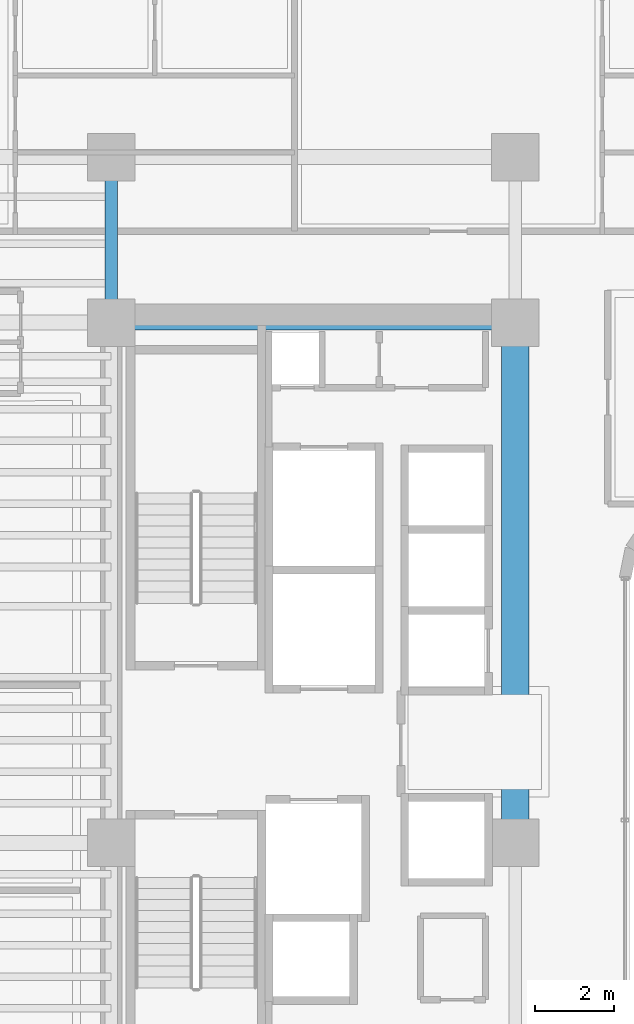
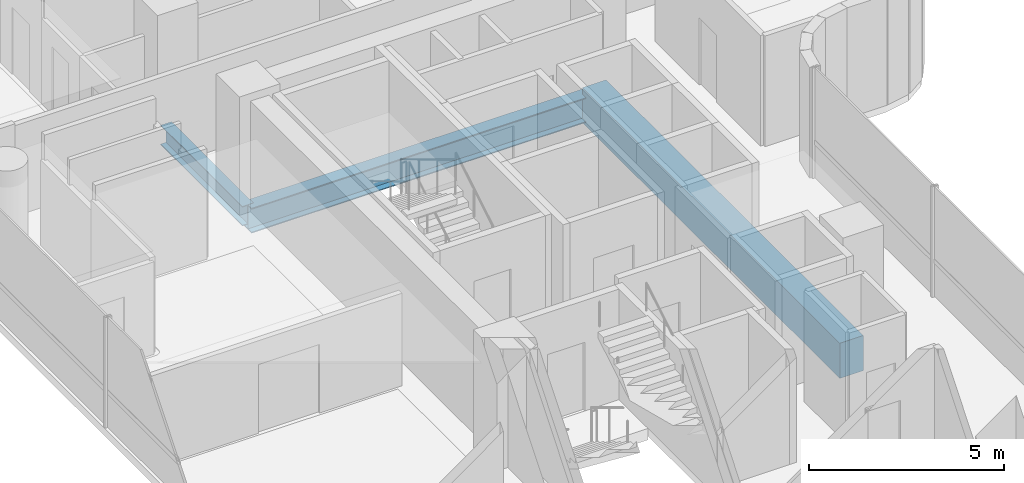
# One storey, part 11 of 34: 3 beams.
"""IFC4 building model written with IfcOpenShell, lengths in metres."""

import ifcopenshell
import ifcopenshell.guid

model = None  # the IFC model being written
_history = None  # IfcOwnerHistory: only IFC2X3 demands one
_inside = {}  # id of a spatial element -> (the spatial element, [elements in it])
_under = {}  # id of a project, library or spatial element -> (it, [spatial elements below it])
_declared = {}  # id of a project -> (the project, [libraries it declares])
_typed = {}  # id of a type object -> (the type object, [elements of that type])
_made_of = {}  # id of a material, layer set ... -> (it, [elements and type objects made of it])


def new_model(schema):
    """Start an empty IFC model of exactly this schema.

    Asked for "IFC4X3", IfcOpenShell would pick the latest addendum, in which some entities
    have other attributes; the version numbers below select the first issue.
    IFC2X3 requires an IfcOwnerHistory on every rooted entity: one is made here for all.
    """
    global model, _history
    if schema == "IFC4X3":
        model = ifcopenshell.file(schema_version=(4, 3, 0, 0))
    else:
        model = ifcopenshell.file(schema=schema)
    _inside.clear()
    _under.clear()
    _declared.clear()
    _typed.clear()
    _made_of.clear()
    _history = None
    if model.schema == "IFC2X3":
        org = make("IfcOrganization", Name="unknown")
        user = make(
            "IfcPersonAndOrganization",
            ThePerson=make("IfcPerson", FamilyName="unknown"),
            TheOrganization=org,
        )
        app = make(
            "IfcApplication",
            ApplicationDeveloper=org,
            Version="unknown",
            ApplicationFullName="unknown",
            ApplicationIdentifier="unknown",
        )
        _history = make(
            "IfcOwnerHistory",
            OwningUser=user,
            OwningApplication=app,
            ChangeAction="ADDED",
            CreationDate=0,
        )
    return model


def make(cls, **values):
    """One entity of the class cls with the attributes given. An attribute that is None is left unset."""
    return model.create_entity(
        cls, **{name: value for name, value in values.items() if value is not None}
    )


def rooted(cls, **values):
    """An entity with a GlobalId (a new one), such as an element, a storey or a relation."""
    return make(cls, GlobalId=ifcopenshell.guid.new(), OwnerHistory=_history, **values)


def si_unit(unit_type, name, prefix=None):
    """IfcSIUnit, for example si_unit("LENGTHUNIT", "METRE", prefix="MILLI")."""
    return make("IfcSIUnit", UnitType=unit_type, Prefix=prefix, Name=name)


def assignment(units):
    """IfcUnitAssignment: the units of a project."""
    return None if units is None else make("IfcUnitAssignment", Units=units)


def point(xyz):
    """IfcCartesianPoint."""
    return None if xyz is None else make("IfcCartesianPoint", Coordinates=xyz)


def direction(xyz):
    """IfcDirection."""
    return None if xyz is None else make("IfcDirection", DirectionRatios=xyz)


def frame(location, z_axis=None, x_axis=None):
    """IfcAxis2Placement3D, a coordinate frame: its origin and axes. An axis left out is left unset."""
    return make(
        "IfcAxis2Placement3D",
        Location=point(location),
        Axis=direction(z_axis),
        RefDirection=direction(x_axis),
    )


def frame_2d(location, x_axis=None):
    """IfcAxis2Placement2D, a coordinate frame in the plane: its origin and x axis."""
    return make(
        "IfcAxis2Placement2D", Location=point(location), RefDirection=direction(x_axis)
    )


def origin():
    """The frame at (0, 0, 0) with its axes left unset."""
    return frame((0.0, 0.0, 0.0))


def origin_2d():
    """The frame at (0, 0) in the plane with its x axis left unset."""
    return frame_2d((0.0, 0.0))


def place(relative_to, where):
    """IfcLocalPlacement: puts the frame where relative to a parent placement (None: the world)."""
    return make(
        "IfcLocalPlacement", PlacementRelTo=relative_to, RelativePlacement=where
    )


def context(
    kind, dimensions, precision=None, world=None, true_north=None, identifier=None
):
    """IfcGeometricRepresentationContext, for example the 3D "Model" context."""
    return make(
        "IfcGeometricRepresentationContext",
        ContextIdentifier=identifier,
        ContextType=kind,
        CoordinateSpaceDimension=dimensions,
        Precision=precision,
        WorldCoordinateSystem=world,
        TrueNorth=true_north,
    )


def subcontext(parent, identifier, kind, view, scale=None):
    """IfcGeometricRepresentationSubContext, for example "Body" below "Model"."""
    return make(
        "IfcGeometricRepresentationSubContext",
        ContextIdentifier=identifier,
        ContextType=kind,
        ParentContext=parent,
        TargetScale=scale,
        TargetView=view,
    )


def project(units=None, contexts=None):
    """IfcProject with its units and contexts."""
    return rooted(
        "IfcProject",
        Name="project",
        RepresentationContexts=contexts,
        UnitsInContext=assignment(units),
    )


def spatial(cls, under=None, at=None, **own):
    """A site, building, storey or space (cls), placed at a placement, below another one or the project."""
    s = rooted(cls, ObjectPlacement=at, **own)
    if under is not None:
        _under.setdefault(under.id(), (under, []))[1].append(s)
    return s


def profile(cls, at=None, kind="AREA", **sizes):
    """A parametric profile (cls). Its sizes go by their IFC names, for example OverallWidth=200.0."""
    return make(cls, ProfileType=kind, Position=at, **sizes)


def rectangle(**sizes):
    """IfcRectangleProfileDef."""
    return profile("IfcRectangleProfileDef", **sizes)


def i_section(**sizes):
    """IfcIShapeProfileDef."""
    return profile("IfcIShapeProfileDef", **sizes)


def extrude(swept, where, along, depth):
    """IfcExtrudedAreaSolid: the profile swept, set in the frame where, extruded along a direction by depth."""
    return make(
        "IfcExtrudedAreaSolid",
        SweptArea=swept,
        Position=where,
        ExtrudedDirection=direction(along),
        Depth=depth,
    )


def shape(context_of_items, identifier, shape_type, items):
    """IfcShapeRepresentation: the items that make up one representation, for example the "Body"."""
    return make(
        "IfcShapeRepresentation",
        ContextOfItems=context_of_items,
        RepresentationIdentifier=identifier,
        RepresentationType=shape_type,
        Items=items,
    )


def source(mapping_origin, context_of_items, identifier, shape_type, items):
    """IfcRepresentationMap: a shape defined once, which mapped items show again and again."""
    return make(
        "IfcRepresentationMap",
        MappingOrigin=mapping_origin,
        MappedRepresentation=shape(context_of_items, identifier, shape_type, items),
    )


def transform(
    local_origin,
    x_axis=None,
    y_axis=None,
    z_axis=None,
    scale=None,
    scale2=None,
    scale3=None,
    uniform=True,
):
    """IfcCartesianTransformationOperator3D, or its non-uniform kind. x_axis, y_axis, z_axis: its Axis1, 2, 3."""
    if uniform:
        return make(
            "IfcCartesianTransformationOperator3D",
            Axis1=direction(x_axis),
            Axis2=direction(y_axis),
            LocalOrigin=point(local_origin),
            Scale=scale,
            Axis3=direction(z_axis),
        )
    return make(
        "IfcCartesianTransformationOperator3DnonUniform",
        Axis1=direction(x_axis),
        Axis2=direction(y_axis),
        LocalOrigin=point(local_origin),
        Scale=scale,
        Axis3=direction(z_axis),
        Scale2=scale2,
        Scale3=scale3,
    )


def mapped(mapping_source, mapping_target):
    """IfcMappedItem: shows the shape of a source again, moved by a transform."""
    return make(
        "IfcMappedItem", MappingSource=mapping_source, MappingTarget=mapping_target
    )


def material(Name=None, Category=None):
    """IfcMaterial."""
    return make("IfcMaterial", Name=Name, Category=Category)


def material_profile(
    of_material, cross_section, Name=None, Category=None, Priority=None
):
    """IfcMaterialProfile: a cross section and its material."""
    return make(
        "IfcMaterialProfile",
        Name=Name,
        Material=of_material,
        Profile=cross_section,
        Priority=Priority,
        Category=Category,
    )


def profile_set(profiles, Name=None, composite=None):
    """IfcMaterialProfileSet."""
    return make(
        "IfcMaterialProfileSet",
        Name=Name,
        MaterialProfiles=profiles,
        CompositeProfile=composite,
    )


def made_of(thing, what):
    """Note that an element or type object is made of a material, layer set ...; save() writes the relation."""
    if what is not None:
        _made_of.setdefault(what.id(), (what, []))[1].append(thing)
    return thing


def type_object(cls, material=None, **own):
    """A type object (cls), such as IfcWallType, which elements share."""
    return made_of(rooted(cls, **own), material)


def element(
    cls,
    number,
    at=None,
    inside=None,
    cuts=None,
    type_object=None,
    material=None,
    context=None,
    identifier="Body",
    shape_type=None,
    held_by="IfcProductDefinitionShape",
    body=None,
    shapes=None,
    **own,
):
    """One element of the class cls, such as IfcWall. Its Tag is "e" and its number.

    at: its placement. inside: the storey or other place that contains it. cuts: it is an
    opening in that element (IfcRelVoidsElement). A single representation is given by context,
    identifier, shape_type and body (its items); several are given by shapes. held_by: the class
    of the entity that holds the representations. save() writes the other relations.
    """
    e = rooted(cls, Tag="e%d" % number, ObjectPlacement=at, **own)
    if body is not None:
        shapes = [shape(context, identifier, shape_type, body)]
    if shapes is not None:
        e.Representation = make(held_by, Representations=shapes)
    if inside is not None:
        _inside.setdefault(inside.id(), (inside, []))[1].append(e)
    if cuts is not None:
        rooted(
            "IfcRelVoidsElement", RelatingBuildingElement=cuts, RelatedOpeningElement=e
        )
    if type_object is not None:
        _typed.setdefault(type_object.id(), (type_object, []))[1].append(e)
    return made_of(e, material)


def aggregate(whole, parts):
    """IfcRelAggregates: a whole, such as a stair, and the parts it consists of."""
    return rooted("IfcRelAggregates", RelatingObject=whole, RelatedObjects=parts)


def save(model, path):
    """Write the relations noted so far, then the file.

    IfcRelAggregates (storeys below a building ...), IfcRelContainedInSpatialStructure (elements
    in a storey), IfcRelDefinesByType, IfcRelAssociatesMaterial and IfcRelDeclares: one each for
    every whole, place, type object, material and project.
    """
    for whole, parts in _under.values():
        aggregate(whole, parts)
    for where, things in _inside.values():
        rooted(
            "IfcRelContainedInSpatialStructure",
            RelatedElements=things,
            RelatingStructure=where,
        )
    for kind, things in _typed.values():
        rooted("IfcRelDefinesByType", RelatedObjects=things, RelatingType=kind)
    for what, things in _made_of.values():
        rooted("IfcRelAssociatesMaterial", RelatedObjects=things, RelatingMaterial=what)
    for by, libraries in _declared.values():
        rooted("IfcRelDeclares", RelatingContext=by, RelatedDefinitions=libraries)
    model.write(path)


model = new_model("IFC4")

# Units and contexts
model_context = context("Model", 3, precision=1e-05, world=origin(), true_north=direction((0.0, 1.0)))
body_context = subcontext(model_context, "Body", "Model", "MODEL_VIEW")
ifc_project = project(units=[si_unit("LENGTHUNIT", "METRE"), si_unit("AREAUNIT", "SQUARE_METRE"), si_unit("VOLUMEUNIT", "CUBIC_METRE"), si_unit("PLANEANGLEUNIT", "RADIAN"), si_unit("MASSUNIT", "GRAM", prefix="KILO")], contexts=[model_context])

# Site, building, storey
site_placement = place(None, origin())
site = spatial("IfcSite", under=ifc_project, at=site_placement, CompositionType="ELEMENT")
building_placement = place(site_placement, origin())
building = spatial("IfcBuilding", under=site, at=building_placement, Name="Valdorenza Pilgrim Sanctuary Tower", CompositionType="ELEMENT")
storey_placement = place(building_placement, frame((0.0, 0.0, 164.89990234375)))
storey = spatial("IfcBuildingStorey", under=building, at=storey_placement, Name="L42", CompositionType="ELEMENT", Elevation=164.89990234375)

# Beams
ifc_material_1 = material(Name="Concrete C50/60", Category="concrete")
ifc_material_profile_1 = material_profile(ifc_material_1, rectangle(XDim=0.699951171875, YDim=1.10009765625, at=origin_2d()), Name="RC 1100x700")
ifc_profile_set_1 = profile_set([ifc_material_profile_1], Name="Concrete C50/60")
beam_type_1 = type_object("IfcBeamType", Name="STR-BM-LNT-1100", PredefinedType="LINTEL", material=ifc_profile_set_1)
shared_shape_1 = source(origin(), body_context, "Body", "SweptSolid", [
    extrude(rectangle(XDim=0.699951171875, YDim=1.10009765625, at=origin_2d()), origin(), (0.0, 0.0, 1.0), 13.2001953125),
])
beam_1_placement = place(storey_placement, frame((-12.39990234375, -2.60009765625, -0.58984375), z_axis=(0.0, 1.0, 0.0), x_axis=(-1.0, 0.0, 0.0)))
element("IfcBeam", 1, at=beam_1_placement, inside=storey, type_object=beam_type_1, Name="L42 Core A Coupling Lintel Girder", PredefinedType="LINTEL", context=body_context, shape_type="MappedRepresentation", body=[
    mapped(shared_shape_1, transform((0.0, 0.0, 0.0), x_axis=(1.0, 0.0, 0.0), y_axis=(0.0, 1.0, 0.0), z_axis=(0.0, 0.0, 1.0), scale=1.0)),
])
ifc_material_2 = material(Name="Steel ASTM A992 Grade 50", Category="steel")
ifc_material_profile_2 = material_profile(ifc_material_2, i_section(OverallWidth=0.323974609375, OverallDepth=0.611083984375, WebThickness=0.0126953125, FlangeThickness=0.01904296875, at=origin_2d()), Name="W24X104")
ifc_profile_set_2 = profile_set([ifc_material_profile_2], Name="Steel ASTM A992 Grade 50")
beam_type_2 = type_object("IfcBeamType", Name="STR-BM-GRD-W24B", PredefinedType="BEAM", material=ifc_profile_set_2)
shared_shape_2 = source(origin(), body_context, "Body", "SweptSolid", [
    extrude(i_section(OverallWidth=0.323974609375, OverallDepth=0.611083984375, WebThickness=0.0126953125, FlangeThickness=0.01904296875, at=origin_2d()), origin(), (0.0, 0.0, 1.0), 4.199951171875),
])
beam_2_placement = place(storey_placement, frame((-22.64990234375, 10.60009765625, -0.54541015625), z_axis=(0.0, 1.0, 0.0), x_axis=(-1.0, 0.0, 0.0)))
element("IfcBeam", 2, at=beam_2_placement, inside=storey, type_object=beam_type_2, Name="L42 Core Tie Girder CA-W-N1N2", PredefinedType="BEAM", context=body_context, shape_type="MappedRepresentation", body=[
    mapped(shared_shape_2, transform((0.0, 0.0, 0.0), x_axis=(1.0, 0.0, 0.0), y_axis=(0.0, 1.0, 0.0), z_axis=(0.0, 0.0, 1.0), scale=1.0)),
])
ifc_material_profile_3 = material_profile(ifc_material_2, i_section(OverallWidth=0.382080078125, OverallDepth=0.779052734375, WebThickness=0.01806640625, FlangeThickness=0.030029296875, at=origin_2d()), Name="W30X191")
ifc_profile_set_3 = profile_set([ifc_material_profile_3], Name="Steel ASTM A992 Grade 50")
beam_type_3 = type_object("IfcBeamType", Name="STR-BM-GRD-W30", PredefinedType="BEAM", material=ifc_profile_set_3)
shared_shape_3 = source(origin(), body_context, "Body", "SweptSolid", [
    extrude(i_section(OverallWidth=0.382080078125, OverallDepth=0.779052734375, WebThickness=0.01806640625, FlangeThickness=0.030029296875, at=origin_2d()), origin(), (0.0, 0.0, 1.0), 10.25),
])
beam_3_placement = place(storey_placement, frame((-22.64990234375, 10.60009765625, -0.62939453125), z_axis=(1.0, 0.0, 0.0), x_axis=(0.0, 1.0, 0.0)))
element("IfcBeam", 3, at=beam_3_placement, inside=storey, type_object=beam_type_3, Name="L42 Floor Girder CA-XC-N1", PredefinedType="BEAM", context=body_context, shape_type="MappedRepresentation", body=[
    mapped(shared_shape_3, transform((0.0, 0.0, 0.0), x_axis=(1.0, 0.0, 0.0), y_axis=(0.0, 1.0, 0.0), z_axis=(0.0, 0.0, 1.0), scale=1.0)),
])

save(model, "model.ifc")
